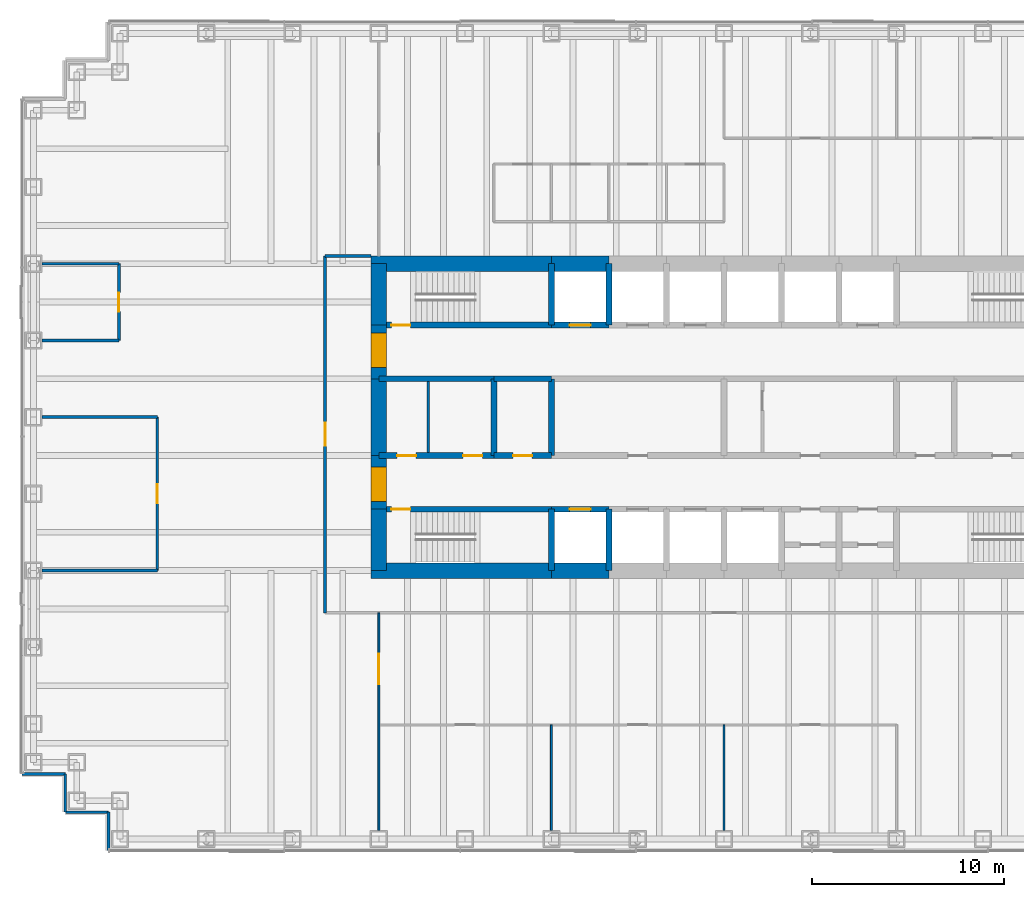
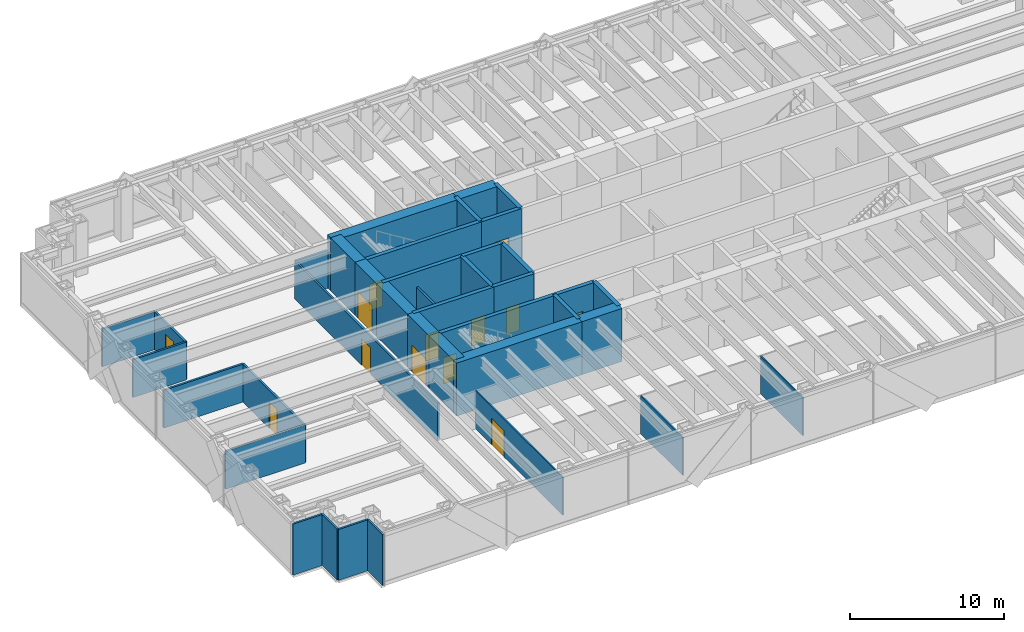
# One storey, part 15 of 19: 39 walls, 13 doors, 13 openings.
"""IFC4 building model written with IfcOpenShell, lengths in metres."""

from ifc_helpers import new_model, si_unit, direction, frame, frame_2d, origin, place, context, subcontext, project, spatial, rectangle, extrude, material, layer, layer_set, type_object, element, fill, save


model = new_model("IFC4")

# Units and contexts
model_context = context("Model", 3, precision=1e-05, world=origin(), true_north=direction((0.0, 1.0)))
body_context = subcontext(model_context, "Body", "Model", "MODEL_VIEW")
ifc_project = project(units=[si_unit("LENGTHUNIT", "METRE"), si_unit("AREAUNIT", "SQUARE_METRE"), si_unit("VOLUMEUNIT", "CUBIC_METRE"), si_unit("PLANEANGLEUNIT", "RADIAN"), si_unit("MASSUNIT", "GRAM", prefix="KILO")], contexts=[model_context])

# Site, building, storey
site_placement = place(None, origin())
site = spatial("IfcSite", under=ifc_project, at=site_placement, CompositionType="ELEMENT")
building_placement = place(site_placement, origin())
building = spatial("IfcBuilding", under=site, at=building_placement, Name="Rheinbord Bourse Tower", CompositionType="ELEMENT")
storey_placement = place(building_placement, frame((0.0, 0.0, 206.800048828125)))
storey = spatial("IfcBuildingStorey", under=building, at=storey_placement, Name="L46", CompositionType="ELEMENT", Elevation=206.800048828125)

# Wall, opening, door
ifc_material_1 = material(Name="Concrete C50/60", Category="concrete")
ifc_layer_1 = layer(ifc_material_1, 0.300048828125)
ifc_layer_set_1 = layer_set([ifc_layer_1], Name="CORE INNER WALL 300")
wall_type_1 = type_object("IfcWallType", Name="CORE INNER WALL 300", PredefinedType="SOLIDWALL", material=ifc_layer_set_1)
wall_1_placement = place(storey_placement, frame((18.0, 19.199951171875, 0.0), z_axis=(0.0, 0.0, 1.0), x_axis=(1.0, 0.0, 0.0)))
wall_1 = element("IfcWall", 1, at=wall_1_placement, inside=storey, type_object=wall_type_1, Name="Core wall A1 L46", PredefinedType="SOLIDWALL", context=body_context, shape_type="SweptSolid", body=[
    extrude(rectangle(XDim=9.0, YDim=0.300048828125, at=frame_2d((4.5, 0.0))), origin(), (0.0, 0.0, 1.0), 4.199951171875),
])
opening_1_placement = place(wall_1_placement, frame((0.64990234375, 0.0, 0.0)))
opening_1 = element("IfcOpeningElement", 2, at=opening_1_placement, cuts=wall_1, Name="Opening 4610", PredefinedType="OPENING", context=body_context, shape_type="SweptSolid", body=[
    extrude(rectangle(XDim=1.0, YDim=2.10009765625, at=frame_2d((0.5, 1.050048828125))), frame((0.0, 0.159912109375, 0.0), z_axis=(0.0, -1.0, 0.0), x_axis=(1.0, 0.0, 0.0)), (0.0, 0.0, 1.0), 0.320068359375),
])
ifc_material_2 = material(Name="Steel door", Category="steel")
door_type_1 = type_object("IfcDoorType", Name="DOOR 1000 EI30", OperationType="SINGLE_SWING_LEFT", PredefinedType="DOOR", material=ifc_material_2)
door_1_placement = place(opening_1_placement, origin())
door_1 = element("IfcDoor", 3, at=door_1_placement, inside=storey, type_object=door_type_1, Name="Stair door ST1 L46", OperationType="SINGLE_SWING_LEFT", OverallHeight=2.10009765625, OverallWidth=1.0, PredefinedType="DOOR", context=body_context, shape_type="SweptSolid", body=[
    extrude(rectangle(XDim=1.0, YDim=2.10009765625, at=frame_2d((0.5, 1.050048828125))), frame((0.0, 0.02490234375, 0.0), z_axis=(0.0, -1.0, 0.0), x_axis=(1.0, 0.0, 0.0)), (0.0, 0.0, 1.0), 0.050048828125),
])
fill(opening_1, door_1)

wall_2_placement = place(storey_placement, frame((27.0, 19.199951171875, 0.0), z_axis=(0.0, 0.0, 1.0), x_axis=(1.0, 0.0, 0.0)))
wall_2 = element("IfcWall", 4, at=wall_2_placement, inside=storey, type_object=wall_type_1, Name="Core wall A2 L46", PredefinedType="SOLIDWALL", context=body_context, shape_type="SweptSolid", body=[
    extrude(rectangle(XDim=3.0, YDim=0.300048828125, at=frame_2d((1.5, 0.0))), origin(), (0.0, 0.0, 1.0), 4.199951171875),
])
opening_2_placement = place(wall_2_placement, frame((0.949951171875, 0.0, 0.0)))
opening_2 = element("IfcOpeningElement", 5, at=opening_2_placement, cuts=wall_2, Name="Opening FL1", PredefinedType="OPENING", context=body_context, shape_type="SweptSolid", body=[
    extrude(rectangle(XDim=1.10009765625, YDim=2.199951171875, at=frame_2d((0.550048828125, 1.10009765625))), frame((0.0, 0.159912109375, 0.0), z_axis=(0.0, -1.0, 0.0), x_axis=(1.0, 0.0, 0.0)), (0.0, 0.0, 1.0), 0.320068359375),
])
ifc_material_3 = material(Name="Steel landing door", Category="steel")
door_type_2 = type_object("IfcDoorType", Name="LIFT LANDING DOOR 1100", OperationType="DOUBLE_DOOR_SLIDING", PredefinedType="USERDEFINED", material=ifc_material_3)
door_2_placement = place(opening_2_placement, origin())
door_2 = element("IfcDoor", 6, at=door_2_placement, inside=storey, type_object=door_type_2, Name="Lift landing door FL1 L46", ObjectType="LIFT LANDING DOOR", OperationType="DOUBLE_DOOR_SLIDING", OverallHeight=2.199951171875, OverallWidth=1.10009765625, PredefinedType="USERDEFINED", context=body_context, shape_type="SweptSolid", body=[
    extrude(rectangle(XDim=1.10009765625, YDim=2.199951171875, at=frame_2d((0.550048828125, 1.10009765625))), frame((0.0, 0.02490234375, 0.0), z_axis=(0.0, -1.0, 0.0), x_axis=(1.0, 0.0, 0.0)), (0.0, 0.0, 1.0), 0.050048828125),
])
fill(opening_2, door_2)

wall_3_placement = place(storey_placement, frame((18.0, 28.800048828125, 0.0), z_axis=(0.0, 0.0, 1.0), x_axis=(1.0, 0.0, 0.0)))
wall_3 = element("IfcWall", 7, at=wall_3_placement, inside=storey, type_object=wall_type_1, Name="Core wall B1 L46", PredefinedType="SOLIDWALL", context=body_context, shape_type="SweptSolid", body=[
    extrude(rectangle(XDim=9.0, YDim=0.300048828125, at=frame_2d((4.5, 0.0))), origin(), (0.0, 0.0, 1.0), 4.199951171875),
])
opening_3_placement = place(wall_3_placement, frame((0.64990234375, 0.0, 0.0)))
opening_3 = element("IfcOpeningElement", 8, at=opening_3_placement, cuts=wall_3, Name="Opening 4620", PredefinedType="OPENING", context=body_context, shape_type="SweptSolid", body=[
    extrude(rectangle(XDim=1.0, YDim=2.10009765625, at=frame_2d((0.5, 1.050048828125))), frame((0.0, 0.159912109375, 0.0), z_axis=(0.0, -1.0, 0.0), x_axis=(1.0, 0.0, 0.0)), (0.0, 0.0, 1.0), 0.320068359375),
])
door_3_placement = place(opening_3_placement, origin())
door_3 = element("IfcDoor", 9, at=door_3_placement, inside=storey, type_object=door_type_1, Name="Stair door ST2 L46", OperationType="SINGLE_SWING_LEFT", OverallHeight=2.10009765625, OverallWidth=1.0, PredefinedType="DOOR", context=body_context, shape_type="SweptSolid", body=[
    extrude(rectangle(XDim=1.0, YDim=2.10009765625, at=frame_2d((0.5, 1.050048828125))), frame((0.0, 0.02490234375, 0.0), z_axis=(0.0, -1.0, 0.0), x_axis=(1.0, 0.0, 0.0)), (0.0, 0.0, 1.0), 0.050048828125),
])
fill(opening_3, door_3)

wall_4_placement = place(storey_placement, frame((27.0, 28.800048828125, 0.0), z_axis=(0.0, 0.0, 1.0), x_axis=(1.0, 0.0, 0.0)))
wall_4 = element("IfcWall", 10, at=wall_4_placement, inside=storey, type_object=wall_type_1, Name="Core wall B2 L46", PredefinedType="SOLIDWALL", context=body_context, shape_type="SweptSolid", body=[
    extrude(rectangle(XDim=3.0, YDim=0.300048828125, at=frame_2d((1.5, 0.0))), origin(), (0.0, 0.0, 1.0), 4.199951171875),
])
opening_4_placement = place(wall_4_placement, frame((0.949951171875, 0.0, 0.0)))
opening_4 = element("IfcOpeningElement", 11, at=opening_4_placement, cuts=wall_4, Name="Opening GL1", PredefinedType="OPENING", context=body_context, shape_type="SweptSolid", body=[
    extrude(rectangle(XDim=1.10009765625, YDim=2.199951171875, at=frame_2d((0.550048828125, 1.10009765625))), frame((0.0, 0.159912109375, 0.0), z_axis=(0.0, -1.0, 0.0), x_axis=(1.0, 0.0, 0.0)), (0.0, 0.0, 1.0), 0.320068359375),
])
door_4_placement = place(opening_4_placement, origin())
door_4 = element("IfcDoor", 12, at=door_4_placement, inside=storey, type_object=door_type_2, Name="Lift landing door GL1 L46", ObjectType="LIFT LANDING DOOR", OperationType="DOUBLE_DOOR_SLIDING", OverallHeight=2.199951171875, OverallWidth=1.10009765625, PredefinedType="USERDEFINED", context=body_context, shape_type="SweptSolid", body=[
    extrude(rectangle(XDim=1.10009765625, YDim=2.199951171875, at=frame_2d((0.550048828125, 1.10009765625))), frame((0.0, 0.02490234375, 0.0), z_axis=(0.0, -1.0, 0.0), x_axis=(1.0, 0.0, 0.0)), (0.0, 0.0, 1.0), 0.050048828125),
])
fill(opening_4, door_4)

# Wall, openings, doors
wall_5_placement = place(storey_placement, frame((18.0, 22.0, 0.0), z_axis=(0.0, 0.0, 1.0), x_axis=(1.0, 0.0, 0.0)))
wall_5 = element("IfcWall", 13, at=wall_5_placement, inside=storey, type_object=wall_type_1, Name="Core wall C1 L46", PredefinedType="SOLIDWALL", context=body_context, shape_type="SweptSolid", body=[
    extrude(rectangle(XDim=6.0, YDim=0.300048828125, at=frame_2d((3.0, 0.0))), origin(), (0.0, 0.0, 1.0), 4.199951171875),
])
opening_5_placement = place(wall_5_placement, frame((4.39990234375, 0.0, 0.0)))
opening_5 = element("IfcOpeningElement", 14, at=opening_5_placement, cuts=wall_5, Name="Opening 46R1", PredefinedType="OPENING", context=body_context, shape_type="SweptSolid", body=[
    extrude(rectangle(XDim=1.0, YDim=2.10009765625, at=frame_2d((0.5, 1.050048828125))), frame((0.0, 0.159912109375, 0.0), z_axis=(0.0, -1.0, 0.0), x_axis=(1.0, 0.0, 0.0)), (0.0, 0.0, 1.0), 0.320068359375),
])
opening_6_placement = place(wall_5_placement, frame((0.949951171875, 0.0, 0.0)))
opening_6 = element("IfcOpeningElement", 15, at=opening_6_placement, cuts=wall_5, Name="Opening 46R9", PredefinedType="OPENING", context=body_context, shape_type="SweptSolid", body=[
    extrude(rectangle(XDim=1.0, YDim=2.10009765625, at=frame_2d((0.5, 1.050048828125))), frame((0.0, 0.159912109375, 0.0), z_axis=(0.0, -1.0, 0.0), x_axis=(1.0, 0.0, 0.0)), (0.0, 0.0, 1.0), 0.320068359375),
])
door_5_placement = place(opening_6_placement, origin())
door_5 = element("IfcDoor", 16, at=door_5_placement, inside=storey, type_object=door_type_1, Name="Baby change door L46", OperationType="SINGLE_SWING_LEFT", OverallHeight=2.10009765625, OverallWidth=1.0, PredefinedType="DOOR", context=body_context, shape_type="SweptSolid", body=[
    extrude(rectangle(XDim=1.0, YDim=2.10009765625, at=frame_2d((0.5, 1.050048828125))), frame((0.0, 0.02490234375, 0.0), z_axis=(0.0, -1.0, 0.0), x_axis=(1.0, 0.0, 0.0)), (0.0, 0.0, 1.0), 0.050048828125),
])
fill(opening_6, door_5)
ifc_material_4 = material(Name="Timber door", Category="wood")
door_type_3 = type_object("IfcDoorType", Name="DOOR 1000 WC", OperationType="SINGLE_SWING_LEFT", PredefinedType="DOOR", material=ifc_material_4)
door_6_placement = place(opening_5_placement, origin())
door_6 = element("IfcDoor", 17, at=door_6_placement, inside=storey, type_object=door_type_3, Name="WC men door L46", OperationType="SINGLE_SWING_RIGHT", OverallHeight=2.10009765625, OverallWidth=1.0, PredefinedType="DOOR", context=body_context, shape_type="SweptSolid", body=[
    extrude(rectangle(XDim=1.0, YDim=2.10009765625, at=frame_2d((0.5, 1.050048828125))), frame((0.0, 0.02490234375, 0.0), z_axis=(0.0, -1.0, 0.0), x_axis=(1.0, 0.0, 0.0)), (0.0, 0.0, 1.0), 0.050048828125),
])
fill(opening_5, door_6)

# Wall, opening, door
wall_6_placement = place(storey_placement, frame((24.0, 22.0, 0.0), z_axis=(0.0, 0.0, 1.0), x_axis=(1.0, 0.0, 0.0)))
wall_6 = element("IfcWall", 18, at=wall_6_placement, inside=storey, type_object=wall_type_1, Name="Core wall C2 L46", PredefinedType="SOLIDWALL", context=body_context, shape_type="SweptSolid", body=[
    extrude(rectangle(XDim=3.0, YDim=0.300048828125, at=frame_2d((1.5, 0.0))), origin(), (0.0, 0.0, 1.0), 4.199951171875),
])
opening_7_placement = place(wall_6_placement, frame((1.0, 0.0, 0.0)))
opening_7 = element("IfcOpeningElement", 19, at=opening_7_placement, cuts=wall_6, Name="Opening 46R2", PredefinedType="OPENING", context=body_context, shape_type="SweptSolid", body=[
    extrude(rectangle(XDim=1.0, YDim=2.10009765625, at=frame_2d((0.5, 1.050048828125))), frame((0.0, 0.159912109375, 0.0), z_axis=(0.0, -1.0, 0.0), x_axis=(1.0, 0.0, 0.0)), (0.0, 0.0, 1.0), 0.320068359375),
])
door_7_placement = place(opening_7_placement, origin())
door_7 = element("IfcDoor", 20, at=door_7_placement, inside=storey, type_object=door_type_1, Name="First aid room door L46", OperationType="SINGLE_SWING_LEFT", OverallHeight=2.10009765625, OverallWidth=1.0, PredefinedType="DOOR", context=body_context, shape_type="SweptSolid", body=[
    extrude(rectangle(XDim=1.0, YDim=2.10009765625, at=frame_2d((0.5, 1.050048828125))), frame((0.0, 0.02490234375, 0.0), z_axis=(0.0, -1.0, 0.0), x_axis=(1.0, 0.0, 0.0)), (0.0, 0.0, 1.0), 0.050048828125),
])
fill(opening_7, door_7)

# Walls
wall_7_placement = place(storey_placement, frame((18.0, 26.0, 0.0), z_axis=(0.0, 0.0, 1.0), x_axis=(1.0, 0.0, 0.0)))
element("IfcWall", 21, at=wall_7_placement, inside=storey, type_object=wall_type_1, Name="Core wall D1 L46", PredefinedType="SOLIDWALL", context=body_context, shape_type="SweptSolid", body=[
    extrude(rectangle(XDim=6.0, YDim=0.300048828125, at=frame_2d((3.0, 0.0))), origin(), (0.0, 0.0, 1.0), 4.199951171875),
])
wall_8_placement = place(storey_placement, frame((24.0, 26.0, 0.0), z_axis=(0.0, 0.0, 1.0), x_axis=(1.0, 0.0, 0.0)))
element("IfcWall", 22, at=wall_8_placement, inside=storey, type_object=wall_type_1, Name="Core wall D2 L46", PredefinedType="SOLIDWALL", context=body_context, shape_type="SweptSolid", body=[
    extrude(rectangle(XDim=3.0, YDim=0.300048828125, at=frame_2d((1.5, 0.0))), origin(), (0.0, 0.0, 1.0), 4.199951171875),
])
for number, where, z_axis, x_axis, name in (
    (23, (27.0, 16.0, 0.0), (0.0, 0.0, 1.0), (0.0, 1.0, 0.0), "Core wall SX27 L46"),
    (24, (27.0, 28.800048828125, 0.0), (0.0, 0.0, 1.0), (0.0, 1.0, 0.0), "Core wall NX27 L46"),
    (25, (30.0, 16.0, 0.0), (0.0, 0.0, 1.0), (0.0, 1.0, 0.0), "Core wall SX30 L46"),
    (26, (30.0, 28.800048828125, 0.0), (0.0, 0.0, 1.0), (0.0, 1.0, 0.0), "Core wall NX30 L46"),
):
    element("IfcWall", number, at=place(storey_placement, frame(where, z_axis=z_axis, x_axis=x_axis)), inside=storey, type_object=wall_type_1, Name=name, PredefinedType="SOLIDWALL", context=body_context, shape_type="SweptSolid", body=[
        extrude(rectangle(XDim=3.199951171875, YDim=0.300048828125, at=frame_2d((1.60009765625, 0.0))), origin(), (0.0, 0.0, 1.0), 4.199951171875),
    ])
for number, where, z_axis, x_axis, name in (
    (27, (24.0, 22.0, 0.0), (0.0, 0.0, 1.0), (0.0, 1.0, 0.0), "Core wall MX24 L46"),
    (28, (27.0, 22.0, 0.0), (0.0, 0.0, 1.0), (0.0, 1.0, 0.0), "Core wall MX27 L46"),
):
    element("IfcWall", number, at=place(storey_placement, frame(where, z_axis=z_axis, x_axis=x_axis)), inside=storey, type_object=wall_type_1, Name=name, PredefinedType="SOLIDWALL", context=body_context, shape_type="SweptSolid", body=[
        extrude(rectangle(XDim=4.0, YDim=0.300048828125, at=frame_2d((2.0, 0.0))), origin(), (0.0, 0.0, 1.0), 4.199951171875),
    ])
ifc_material_5 = material(Name="Gypsum board fire partition", Category="gypsum board")
ifc_layer_2 = layer(ifc_material_5, 0.14990234375)
ifc_layer_set_2 = layer_set([ifc_layer_2], Name="CORE PARTITION 150 EI30")
wall_type_2 = type_object("IfcWallType", Name="CORE PARTITION 150 EI30", PredefinedType="PARTITIONING", material=ifc_layer_set_2)
wall_9_placement = place(storey_placement, frame((20.574951171875, 22.14990234375, 0.0), z_axis=(0.0, 0.0, 1.0), x_axis=(0.0, 1.0, 0.0)))
element("IfcWall", 29, at=wall_9_placement, inside=storey, type_object=wall_type_2, Name="Core partition L46-2", PredefinedType="PARTITIONING", context=body_context, shape_type="SweptSolid", body=[
    extrude(rectangle(XDim=3.7001953125, YDim=0.14990234375, at=frame_2d((1.85009765625, 0.0))), origin(), (0.0, 0.0, 1.0), 3.0),
])
ifc_material_6 = material(Name="Concrete C50/60", Category="concrete")
ifc_layer_3 = layer(ifc_material_6, 0.800048828125)
ifc_layer_set_3 = layer_set([ifc_layer_3], Name="CORE WALL 800")
wall_type_3 = type_object("IfcWallType", Name="CORE WALL 800", PredefinedType="SHEAR", material=ifc_layer_set_3)
wall_10_placement = place(storey_placement, frame((17.60009765625, 16.0, 0.0), z_axis=(0.0, 0.0, 1.0), x_axis=(1.0, 0.0, 0.0)))
element("IfcWall", 30, at=wall_10_placement, inside=storey, type_object=wall_type_3, Name="Core wall S1 L46", PredefinedType="SHEAR", context=body_context, shape_type="SweptSolid", body=[
    extrude(rectangle(XDim=9.39990234375, YDim=0.800048828125, at=frame_2d((4.699951171875, 0.0))), origin(), (0.0, 0.0, 1.0), 4.199951171875),
])
for number, where, z_axis, x_axis, name in (
    (31, (27.0, 16.0, 0.0), (0.0, 0.0, 1.0), (1.0, 0.0, 0.0), "Core wall S2 L46"),
    (32, (30.0, 32.0, 0.0), (0.0, 0.0, 1.0), (-1.0, 0.0, 0.0), "Core wall N7 L46"),
):
    element("IfcWall", number, at=place(storey_placement, frame(where, z_axis=z_axis, x_axis=x_axis)), inside=storey, type_object=wall_type_3, Name=name, PredefinedType="SHEAR", context=body_context, shape_type="SweptSolid", body=[
        extrude(rectangle(XDim=3.0, YDim=0.800048828125, at=frame_2d((1.5, 0.0))), origin(), (0.0, 0.0, 1.0), 4.199951171875),
    ])
wall_11_placement = place(storey_placement, frame((27.0, 32.0, 0.0), z_axis=(0.0, 0.0, 1.0), x_axis=(-1.0, 0.0, 0.0)))
element("IfcWall", 33, at=wall_11_placement, inside=storey, type_object=wall_type_3, Name="Core wall N8 L46", PredefinedType="SHEAR", context=body_context, shape_type="SweptSolid", body=[
    extrude(rectangle(XDim=9.39990234375, YDim=0.800048828125, at=frame_2d((4.699951171875, 0.0))), origin(), (0.0, 0.0, 1.0), 4.199951171875),
])
wall_12_placement = place(storey_placement, frame((18.0, 32.0, 0.0), z_axis=(0.0, 0.0, 1.0), x_axis=(0.0, -1.0, 0.0)))
element("IfcWall", 34, at=wall_12_placement, inside=storey, type_object=wall_type_3, Name="Core wall W1 L46", PredefinedType="SHEAR", context=body_context, shape_type="SweptSolid", body=[
    extrude(rectangle(XDim=3.199951171875, YDim=0.800048828125, at=frame_2d((1.60009765625, 0.0))), origin(), (0.0, 0.0, 1.0), 4.199951171875),
])

# Wall, opening, door
wall_13_placement = place(storey_placement, frame((18.0, 28.800048828125, 0.0), z_axis=(0.0, 0.0, 1.0), x_axis=(0.0, -1.0, 0.0)))
wall_13 = element("IfcWall", 35, at=wall_13_placement, inside=storey, type_object=wall_type_3, Name="Core wall W2 L46", PredefinedType="SHEAR", context=body_context, shape_type="SweptSolid", body=[
    extrude(rectangle(XDim=2.800048828125, YDim=0.800048828125, at=frame_2d((1.39990234375, 0.0))), origin(), (0.0, 0.0, 1.0), 4.199951171875),
])
opening_8_placement = place(wall_13_placement, frame((0.39990234375, 0.0, 0.0)))
opening_8 = element("IfcOpeningElement", 36, at=opening_8_placement, cuts=wall_13, Name="Opening 46L2", PredefinedType="OPENING", context=body_context, shape_type="SweptSolid", body=[
    extrude(rectangle(XDim=1.800048828125, YDim=2.10009765625, at=frame_2d((0.89990234375, 1.050048828125))), frame((0.0, 0.409912109375, 0.0), z_axis=(0.0, -1.0, 0.0), x_axis=(1.0, 0.0, 0.0)), (0.0, 0.0, 1.0), 0.820068359375),
])
ifc_material_7 = material(Name="Steel door", Category="steel")
door_type_4 = type_object("IfcDoorType", Name="DOOR 1800 EI30 DOUBLE", OperationType="DOUBLE_DOOR_DOUBLE_SWING", PredefinedType="DOOR", material=ifc_material_7)
door_8_placement = place(opening_8_placement, origin())
door_8 = element("IfcDoor", 37, at=door_8_placement, inside=storey, type_object=door_type_4, Name="Lobby door 2 L46", OperationType="SINGLE_SWING_LEFT", OverallHeight=2.10009765625, OverallWidth=1.800048828125, PredefinedType="DOOR", context=body_context, shape_type="SweptSolid", body=[
    extrude(rectangle(XDim=1.800048828125, YDim=2.10009765625, at=frame_2d((0.89990234375, 1.050048828125))), frame((0.0, 0.39990234375, 0.0), z_axis=(0.0, -1.0, 0.0), x_axis=(1.0, 0.0, 0.0)), (0.0, 0.0, 1.0), 0.799560546875),
])
fill(opening_8, door_8)

# Wall
wall_14_placement = place(storey_placement, frame((18.0, 26.0, 0.0), z_axis=(0.0, 0.0, 1.0), x_axis=(0.0, -1.0, 0.0)))
element("IfcWall", 38, at=wall_14_placement, inside=storey, type_object=wall_type_3, Name="Core wall W3 L46", PredefinedType="SHEAR", context=body_context, shape_type="SweptSolid", body=[
    extrude(rectangle(XDim=4.0, YDim=0.800048828125, at=frame_2d((2.0, 0.0))), origin(), (0.0, 0.0, 1.0), 4.199951171875),
])

# Wall, opening, door
wall_15_placement = place(storey_placement, frame((18.0, 22.0, 0.0), z_axis=(0.0, 0.0, 1.0), x_axis=(0.0, -1.0, 0.0)))
wall_15 = element("IfcWall", 39, at=wall_15_placement, inside=storey, type_object=wall_type_3, Name="Core wall W4 L46", PredefinedType="SHEAR", context=body_context, shape_type="SweptSolid", body=[
    extrude(rectangle(XDim=2.800048828125, YDim=0.800048828125, at=frame_2d((1.39990234375, 0.0))), origin(), (0.0, 0.0, 1.0), 4.199951171875),
])
opening_9_placement = place(wall_15_placement, frame((0.60009765625, 0.0, 0.0)))
opening_9 = element("IfcOpeningElement", 40, at=opening_9_placement, cuts=wall_15, Name="Opening 46L1", PredefinedType="OPENING", context=body_context, shape_type="SweptSolid", body=[
    extrude(rectangle(XDim=1.800048828125, YDim=2.10009765625, at=frame_2d((0.89990234375, 1.050048828125))), frame((0.0, 0.409912109375, 0.0), z_axis=(0.0, -1.0, 0.0), x_axis=(1.0, 0.0, 0.0)), (0.0, 0.0, 1.0), 0.820068359375),
])
door_9_placement = place(opening_9_placement, origin())
door_9 = element("IfcDoor", 41, at=door_9_placement, inside=storey, type_object=door_type_4, Name="Lobby door 1 L46", OperationType="SINGLE_SWING_LEFT", OverallHeight=2.10009765625, OverallWidth=1.800048828125, PredefinedType="DOOR", context=body_context, shape_type="SweptSolid", body=[
    extrude(rectangle(XDim=1.800048828125, YDim=2.10009765625, at=frame_2d((0.89990234375, 1.050048828125))), frame((0.0, 0.39990234375, 0.0), z_axis=(0.0, -1.0, 0.0), x_axis=(1.0, 0.0, 0.0)), (0.0, 0.0, 1.0), 0.799560546875),
])
fill(opening_9, door_9)

# Walls
wall_16_placement = place(storey_placement, frame((18.0, 19.199951171875, 0.0), z_axis=(0.0, 0.0, 1.0), x_axis=(0.0, -1.0, 0.0)))
element("IfcWall", 42, at=wall_16_placement, inside=storey, type_object=wall_type_3, Name="Core wall W5 L46", PredefinedType="SHEAR", context=body_context, shape_type="SweptSolid", body=[
    extrude(rectangle(XDim=3.199951171875, YDim=0.800048828125, at=frame_2d((1.60009765625, 0.0))), origin(), (0.0, 0.0, 1.0), 4.199951171875),
])
ifc_material_8 = material(Name="Black metal rainscreen panel", Category="aluminium")
ifc_layer_4 = layer(ifc_material_8, 0.14990234375)
ifc_layer_set_4 = layer_set([ifc_layer_4], Name="CORNER PIER CLADDING 150")
wall_type_4 = type_object("IfcWallType", Name="CORNER PIER CLADDING 150", PredefinedType="ELEMENTEDWALL", material=ifc_layer_set_4)
wall_17_placement = place(storey_placement, frame((-0.60009765625, 5.39990234375, 0.0), z_axis=(0.0, 0.0, 1.0), x_axis=(1.0, 0.0, 0.0)))
element("IfcWall", 43, at=wall_17_placement, inside=storey, type_object=wall_type_4, Name="Corner pier cladding L46 17", PredefinedType="ELEMENTEDWALL", context=body_context, shape_type="SweptSolid", body=[
    extrude(rectangle(XDim=2.25, YDim=0.14990234375, at=frame_2d((1.125, 0.0))), origin(), (0.0, 0.0, 1.0), 4.0400390625),
])
wall_18_placement = place(storey_placement, frame((1.64990234375, 5.39990234375, 0.0), z_axis=(0.0, 0.0, 1.0), x_axis=(0.0, -1.0, 0.0)))
element("IfcWall", 44, at=wall_18_placement, inside=storey, type_object=wall_type_4, Name="Corner pier cladding L46 18", PredefinedType="ELEMENTEDWALL", context=body_context, shape_type="SweptSolid", body=[
    extrude(rectangle(XDim=2.0, YDim=0.14990234375, at=frame_2d((1.0, 0.0))), origin(), (0.0, 0.0, 1.0), 4.0400390625),
])
wall_19_placement = place(storey_placement, frame((1.64990234375, 3.39990234375, 0.0), z_axis=(0.0, 0.0, 1.0), x_axis=(1.0, 0.0, 0.0)))
element("IfcWall", 45, at=wall_19_placement, inside=storey, type_object=wall_type_4, Name="Corner pier cladding L46 19", PredefinedType="ELEMENTEDWALL", context=body_context, shape_type="SweptSolid", body=[
    extrude(rectangle(XDim=2.25, YDim=0.14990234375, at=frame_2d((1.125, 0.0))), origin(), (0.0, 0.0, 1.0), 4.0400390625),
])
wall_20_placement = place(storey_placement, frame((3.89990234375, 3.39990234375, 0.0), z_axis=(0.0, 0.0, 1.0), x_axis=(0.0, -1.0, 0.0)))
element("IfcWall", 46, at=wall_20_placement, inside=storey, type_object=wall_type_4, Name="Corner pier cladding L46 20", PredefinedType="ELEMENTEDWALL", context=body_context, shape_type="SweptSolid", body=[
    extrude(rectangle(XDim=2.0, YDim=0.14990234375, at=frame_2d((1.0, 0.0))), origin(), (0.0, 0.0, 1.0), 4.0400390625),
])
ifc_material_9 = material(Name="Gypsum board corridor partition", Category="gypsum board")
ifc_layer_5 = layer(ifc_material_9, 0.14990234375)
ifc_layer_set_5 = layer_set([ifc_layer_5], Name="CORRIDOR PARTITION 150 EI30")
wall_type_5 = type_object("IfcWallType", Name="CORRIDOR PARTITION 150 EI30", PredefinedType="PARTITIONING", material=ifc_layer_set_5)
wall_21_placement = place(storey_placement, frame((15.199951171875, 32.39990234375, 0.0), z_axis=(0.0, 0.0, 1.0), x_axis=(1.0, 0.0, 0.0)))
element("IfcWall", 47, at=wall_21_placement, inside=storey, type_object=wall_type_5, Name="Partition L46-10", PredefinedType="PARTITIONING", context=body_context, shape_type="SweptSolid", body=[
    extrude(rectangle(XDim=2.400146484375, YDim=0.14990234375, at=frame_2d((1.2001953125, 0.0))), origin(), (0.0, 0.0, 1.0), 3.0),
])

# Wall, opening, door
wall_22_placement = place(storey_placement, frame((15.199951171875, 13.800048828125, 0.0), z_axis=(0.0, 0.0, 1.0), x_axis=(0.0, 1.0, 0.0)))
wall_22 = element("IfcWall", 48, at=wall_22_placement, inside=storey, type_object=wall_type_5, Name="Partition L46-18", PredefinedType="PARTITIONING", context=body_context, shape_type="SweptSolid", body=[
    extrude(rectangle(XDim=18.599853515625, YDim=0.14990234375, at=frame_2d((9.2998046875, 0.0))), origin(), (0.0, 0.0, 1.0), 3.0),
])
opening_10_placement = place(wall_22_placement, frame((8.699951171875, 0.0, 0.0)))
opening_10 = element("IfcOpeningElement", 49, at=opening_10_placement, cuts=wall_22, Name="Opening 46D19", PredefinedType="OPENING", context=body_context, shape_type="SweptSolid", body=[
    extrude(rectangle(XDim=1.199951171875, YDim=2.10009765625, at=frame_2d((0.60009765625, 1.050048828125))), frame((0.0, 0.0849609375, 0.0), z_axis=(0.0, -1.0, 0.0), x_axis=(1.0, 0.0, 0.0)), (0.0, 0.0, 1.0), 0.169921875),
])
ifc_material_10 = material(Name="Timber fire door", Category="wood")
door_type_5 = type_object("IfcDoorType", Name="SUITE ENTRANCE DOOR 1200 EI30", OperationType="SINGLE_SWING_LEFT", PredefinedType="DOOR", material=ifc_material_10)
door_10_placement = place(opening_10_placement, origin())
door_10 = element("IfcDoor", 50, at=door_10_placement, inside=storey, type_object=door_type_5, Name="Suite entrance 1 door L46", OperationType="SINGLE_SWING_LEFT", OverallHeight=2.10009765625, OverallWidth=1.199951171875, PredefinedType="DOOR", context=body_context, shape_type="SweptSolid", body=[
    extrude(rectangle(XDim=1.199951171875, YDim=2.10009765625, at=frame_2d((0.60009765625, 1.050048828125))), frame((0.0, 0.02490234375, 0.0), z_axis=(0.0, -1.0, 0.0), x_axis=(1.0, 0.0, 0.0)), (0.0, 0.0, 1.0), 0.050048828125),
])
fill(opening_10, door_10)

ifc_material_11 = material(Name="Toughened laminated glass partition", Category="glass")
ifc_layer_6 = layer(ifc_material_11, 0.10009765625)
ifc_layer_set_6 = layer_set([ifc_layer_6], Name="GLAZED PARTITION 100")
wall_type_6 = type_object("IfcWallType", Name="GLAZED PARTITION 100", PredefinedType="PARTITIONING", material=ifc_layer_set_6)
wall_23_placement = place(storey_placement, frame((18.0, 2.449951171875, 0.0), z_axis=(0.0, 0.0, 1.0), x_axis=(0.0, 1.0, 0.0)))
wall_23 = element("IfcWall", 51, at=wall_23_placement, inside=storey, type_object=wall_type_6, Name="Partition L46-19", PredefinedType="PARTITIONING", context=body_context, shape_type="SweptSolid", body=[
    extrude(rectangle(XDim=11.35009765625, YDim=0.10009765625, at=frame_2d((5.675048828125, 0.0))), origin(), (0.0, 0.0, 1.0), 3.0),
])
opening_11_placement = place(wall_23_placement, frame((7.625, 0.0, 0.0)))
opening_11 = element("IfcOpeningElement", 52, at=opening_11_placement, cuts=wall_23, Name="Opening 46D15", PredefinedType="OPENING", context=body_context, shape_type="SweptSolid", body=[
    extrude(rectangle(XDim=1.60009765625, YDim=2.10009765625, at=frame_2d((0.800048828125, 1.050048828125))), frame((0.0, 0.06005859375, 0.0), z_axis=(0.0, -1.0, 0.0), x_axis=(1.0, 0.0, 0.0)), (0.0, 0.0, 1.0), 0.1201171875),
])
ifc_material_12 = material(Name="Timber door", Category="wood")
door_type_6 = type_object("IfcDoorType", Name="DOUBLE ROOM DOOR 1600", OperationType="DOUBLE_DOOR_DOUBLE_SWING", PredefinedType="DOOR", material=ifc_material_12)
door_11_placement = place(opening_11_placement, origin())
door_11 = element("IfcDoor", 53, at=door_11_placement, inside=storey, type_object=door_type_6, Name="Open area door L46", OperationType="SINGLE_SWING_LEFT", OverallHeight=2.10009765625, OverallWidth=1.60009765625, PredefinedType="DOOR", context=body_context, shape_type="SweptSolid", body=[
    extrude(rectangle(XDim=1.60009765625, YDim=2.10009765625, at=frame_2d((0.800048828125, 1.050048828125))), frame((0.0, 0.02490234375, 0.0), z_axis=(0.0, -1.0, 0.0), x_axis=(1.0, 0.0, 0.0)), (0.0, 0.0, 1.0), 0.050048828125),
])
fill(opening_11, door_11)

# Walls
for number, where, z_axis, x_axis, name in (
    (54, (27.0, 2.449951171875, 0.0), (0.0, 0.0, 1.0), (0.0, 1.0, 0.0), "Partition L46-22"),
    (55, (36.0, 2.449951171875, 0.0), (0.0, 0.0, 1.0), (0.0, 1.0, 0.0), "Partition L46-26"),
):
    element("IfcWall", number, at=place(storey_placement, frame(where, z_axis=z_axis, x_axis=x_axis)), inside=storey, type_object=wall_type_6, Name=name, PredefinedType="PARTITIONING", context=body_context, shape_type="SweptSolid", body=[
        extrude(rectangle(XDim=5.5, YDim=0.10009765625, at=frame_2d((2.75, 0.0))), origin(), (0.0, 0.0, 1.0), 3.0),
    ])
ifc_material_13 = material(Name="Gypsum board partition", Category="gypsum board")
ifc_layer_7 = layer(ifc_material_13, 0.14990234375)
ifc_layer_set_7 = layer_set([ifc_layer_7], Name="PARTITION 150")
wall_type_7 = type_object("IfcWallType", Name="PARTITION 150", PredefinedType="PARTITIONING", material=ifc_layer_set_7)
for number, where, z_axis, x_axis, name in (
    (56, (0.449951171875, 16.0, 0.0), (0.0, 0.0, 1.0), (1.0, 0.0, 0.0), "Partition L46-04"),
    (57, (0.449951171875, 24.0, 0.0), (0.0, 0.0, 1.0), (1.0, 0.0, 0.0), "Partition L46-07"),
):
    element("IfcWall", number, at=place(storey_placement, frame(where, z_axis=z_axis, x_axis=x_axis)), inside=storey, type_object=wall_type_7, Name=name, PredefinedType="PARTITIONING", context=body_context, shape_type="SweptSolid", body=[
        extrude(rectangle(XDim=6.0, YDim=0.14990234375, at=frame_2d((3.0, 0.0))), origin(), (0.0, 0.0, 1.0), 3.0),
    ])
for number, where, z_axis, x_axis, name in (
    (58, (0.449951171875, 28.0, 0.0), (0.0, 0.0, 1.0), (1.0, 0.0, 0.0), "Partition L46-08"),
    (59, (0.449951171875, 32.0, 0.0), (0.0, 0.0, 1.0), (1.0, 0.0, 0.0), "Partition L46-09"),
):
    element("IfcWall", number, at=place(storey_placement, frame(where, z_axis=z_axis, x_axis=x_axis)), inside=storey, type_object=wall_type_7, Name=name, PredefinedType="PARTITIONING", context=body_context, shape_type="SweptSolid", body=[
        extrude(rectangle(XDim=4.0, YDim=0.14990234375, at=frame_2d((2.0, 0.0))), origin(), (0.0, 0.0, 1.0), 3.0),
    ])

# Wall, opening, door
wall_24_placement = place(storey_placement, frame((4.449951171875, 28.0, 0.0), z_axis=(0.0, 0.0, 1.0), x_axis=(0.0, 1.0, 0.0)))
wall_24 = element("IfcWall", 60, at=wall_24_placement, inside=storey, type_object=wall_type_7, Name="Partition L46-16", PredefinedType="PARTITIONING", context=body_context, shape_type="SweptSolid", body=[
    extrude(rectangle(XDim=4.0, YDim=0.14990234375, at=frame_2d((2.0, 0.0))), origin(), (0.0, 0.0, 1.0), 3.0),
])
opening_12_placement = place(wall_24_placement, frame((1.5, 0.0, 0.0)))
opening_12 = element("IfcOpeningElement", 61, at=opening_12_placement, cuts=wall_24, Name="Opening 46D07", PredefinedType="OPENING", context=body_context, shape_type="SweptSolid", body=[
    extrude(rectangle(XDim=1.0, YDim=2.10009765625, at=frame_2d((0.5, 1.050048828125))), frame((0.0, 0.0849609375, 0.0), z_axis=(0.0, -1.0, 0.0), x_axis=(1.0, 0.0, 0.0)), (0.0, 0.0, 1.0), 0.169921875),
])
ifc_material_14 = material(Name="Timber door", Category="wood")
door_type_7 = type_object("IfcDoorType", Name="ROOM DOOR 1000", OperationType="SINGLE_SWING_LEFT", PredefinedType="DOOR", material=ifc_material_14)
door_12_placement = place(opening_12_placement, origin())
door_12 = element("IfcDoor", 62, at=door_12_placement, inside=storey, type_object=door_type_7, Name="Print room door L46", OperationType="SINGLE_SWING_LEFT", OverallHeight=2.10009765625, OverallWidth=1.0, PredefinedType="DOOR", context=body_context, shape_type="SweptSolid", body=[
    extrude(rectangle(XDim=1.0, YDim=2.10009765625, at=frame_2d((0.5, 1.050048828125))), frame((0.0, 0.02490234375, 0.0), z_axis=(0.0, -1.0, 0.0), x_axis=(1.0, 0.0, 0.0)), (0.0, 0.0, 1.0), 0.050048828125),
])
fill(opening_12, door_12)

wall_25_placement = place(storey_placement, frame((6.449951171875, 16.0, 0.0), z_axis=(0.0, 0.0, 1.0), x_axis=(0.0, 1.0, 0.0)))
wall_25 = element("IfcWall", 63, at=wall_25_placement, inside=storey, type_object=wall_type_7, Name="Partition L46-17", PredefinedType="PARTITIONING", context=body_context, shape_type="SweptSolid", body=[
    extrude(rectangle(XDim=8.0, YDim=0.14990234375, at=frame_2d((4.0, 0.0))), origin(), (0.0, 0.0, 1.0), 3.0),
])
opening_13_placement = place(wall_25_placement, frame((3.5, 0.0, 0.0)))
opening_13 = element("IfcOpeningElement", 64, at=opening_13_placement, cuts=wall_25, Name="Opening 46D06", PredefinedType="OPENING", context=body_context, shape_type="SweptSolid", body=[
    extrude(rectangle(XDim=1.0, YDim=2.10009765625, at=frame_2d((0.5, 1.050048828125))), frame((0.0, 0.0849609375, 0.0), z_axis=(0.0, -1.0, 0.0), x_axis=(1.0, 0.0, 0.0)), (0.0, 0.0, 1.0), 0.169921875),
])
door_13_placement = place(opening_13_placement, origin())
door_13 = element("IfcDoor", 65, at=door_13_placement, inside=storey, type_object=door_type_7, Name="Pantry door L46", OperationType="SINGLE_SWING_LEFT", OverallHeight=2.10009765625, OverallWidth=1.0, PredefinedType="DOOR", context=body_context, shape_type="SweptSolid", body=[
    extrude(rectangle(XDim=1.0, YDim=2.10009765625, at=frame_2d((0.5, 1.050048828125))), frame((0.0, 0.02490234375, 0.0), z_axis=(0.0, -1.0, 0.0), x_axis=(1.0, 0.0, 0.0)), (0.0, 0.0, 1.0), 0.050048828125),
])
fill(opening_13, door_13)

save(model, "model.ifc")
